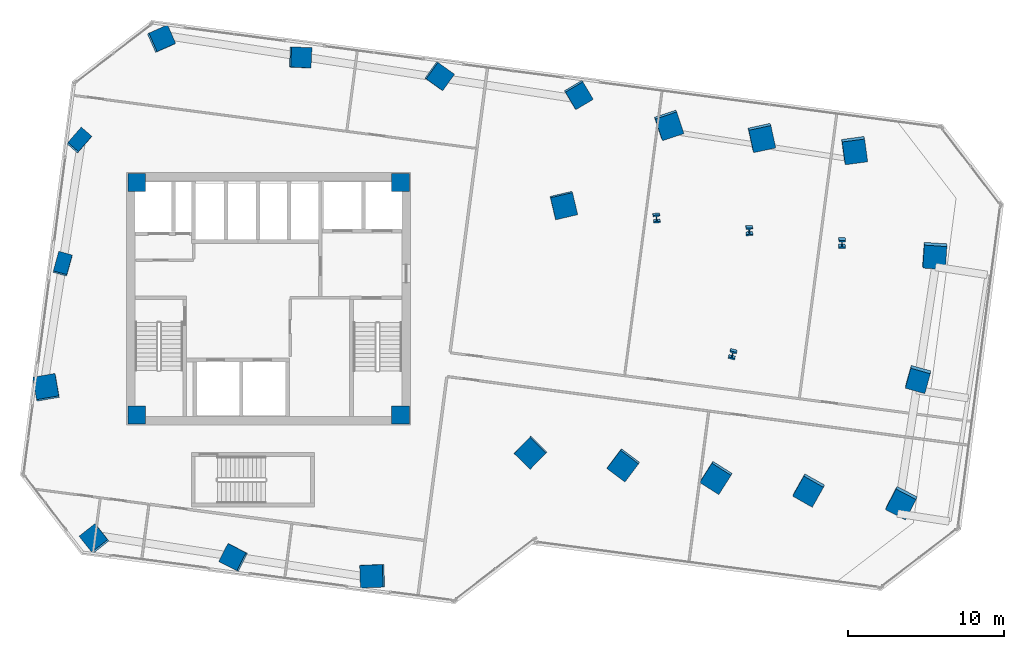
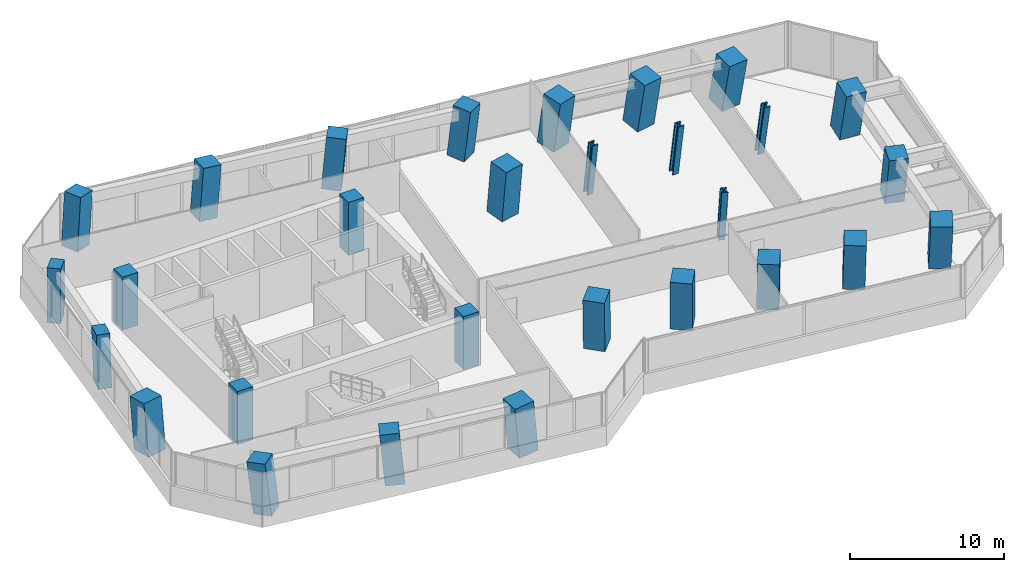
# One storey, part 1 of 24: 29 columns.
"""IFC4 building model written with IfcOpenShell, lengths in metres."""

from ifc_helpers import new_model, si_unit, direction, frame, origin, origin_2d, place, context, subcontext, project, spatial, rectangle, i_section, extrude, clip, halfspace, source, transform, mapped, material, material_profile, profile_set, type_object, element, save


model = new_model("IFC4")

# Units and contexts
model_context = context("Model", 3, precision=1e-05, world=origin(), true_north=direction((0.0, 1.0)))
body_context = subcontext(model_context, "Body", "Model", "MODEL_VIEW")
ifc_project = project(units=[si_unit("LENGTHUNIT", "METRE"), si_unit("AREAUNIT", "SQUARE_METRE"), si_unit("VOLUMEUNIT", "CUBIC_METRE"), si_unit("PLANEANGLEUNIT", "RADIAN"), si_unit("MASSUNIT", "GRAM", prefix="KILO")], contexts=[model_context])

# Site, building, storey
site_placement = place(None, origin())
site = spatial("IfcSite", under=ifc_project, at=site_placement, CompositionType="ELEMENT")
building_placement = place(site_placement, origin())
building = spatial("IfcBuilding", under=site, at=building_placement, Name="Torre Montelarca", CompositionType="ELEMENT")
storey_placement = place(building_placement, frame((0.0, 0.0, 66.39990234375)))
storey = spatial("IfcBuildingStorey", under=building, at=storey_placement, Name="L14", CompositionType="ELEMENT", Elevation=66.39990234375)

# Columns
ifc_material_1 = material(Name="Concrete C55/67", Category="concrete")
ifc_material_profile_1 = material_profile(ifc_material_1, rectangle(XDim=0.89990234375, YDim=1.300048828125, at=origin_2d()), Name="RC1300X900", Category="concrete")
ifc_profile_set_1 = profile_set([ifc_material_profile_1], Name="Concrete C55/67")
column_type_1 = type_object("IfcColumnType", Name="COL-PIL1300-EXT", PredefinedType="PILASTER", material=ifc_profile_set_1)
column_1_placement = place(storey_placement, frame((4.794189453125, 34.199462890625, 0.0), z_axis=(0.012333729289, 0.086278200191, 0.996194735628), x_axis=(0.963066116594, -0.269024609518, 0.011376051229)))
element("IfcColumn", 1, at=column_1_placement, inside=storey, type_object=column_type_1, Name="L14 Column 1W/E", PredefinedType="PILASTER", context=body_context, shape_type="Clipping", body=[
    clip(clip(extrude(rectangle(XDim=0.89990234375, YDim=1.300048828125, at=origin_2d()), origin(), (0.0, 0.0, 1.0), 4.21630859375), halfspace(frame((0.0, 0.0, 0.062255859375), z_axis=(0.0, 0.0, -1.0), x_axis=(1.0, 0.0, 0.0)), False)), halfspace(frame((0.0, 0.0, 4.154052734375), z_axis=(0.0, 0.0, 1.0), x_axis=(1.0, 0.0, 0.0)), False)),
])
column_2_placement = place(storey_placement, frame((5.83837890625, 42.130859375, 0.0), z_axis=(0.053226685756, 0.080418579566, 0.995339023642), x_axis=(0.755052231351, -0.655543804134, 0.012587644438)))
element("IfcColumn", 2, at=column_2_placement, inside=storey, type_object=column_type_1, Name="L14 Column 1W/F", PredefinedType="PILASTER", context=body_context, shape_type="Clipping", body=[
    clip(clip(extrude(rectangle(XDim=0.89990234375, YDim=1.300048828125, at=origin_2d()), origin(), (0.0, 0.0, 1.0), 4.219970703125), halfspace(frame((0.0, 0.0, 0.06884765625), z_axis=(0.0, 0.0, -1.0), x_axis=(1.0, 0.0, 0.0)), False)), halfspace(frame((0.0, 0.0, 4.151123046875), z_axis=(0.0, 0.0, 1.0), x_axis=(1.0, 0.0, 0.0)), False)),
])
ifc_material_2 = material(Name="Concrete C70/85", Category="concrete")
ifc_material_profile_2 = material_profile(ifc_material_2, rectangle(XDim=1.300048828125, YDim=1.300048828125, at=origin_2d()), Name="RC1300X1300", Category="concrete")
ifc_profile_set_2 = profile_set([ifc_material_profile_2], Name="Concrete C70/85")
column_type_2 = type_object("IfcColumnType", Name="COL-RC1300-EXT", PredefinedType="COLUMN", material=ifc_profile_set_2)
column_3_placement = place(storey_placement, frame((6.86181640625, 16.57861328125, 0.0), z_axis=(-0.078747233603, 0.076436236285, 0.993959946367), x_axis=(0.783634981143, 0.621056380729, 0.014324394768)))
element("IfcColumn", 3, at=column_3_placement, inside=storey, type_object=column_type_2, Name="L14 Column 2/CS", PredefinedType="COLUMN", context=body_context, shape_type="Clipping", body=[
    clip(clip(extrude(rectangle(XDim=1.300048828125, YDim=1.300048828125, at=origin_2d()), origin(), (0.0, 0.0, 1.0), 4.225830078125), halfspace(frame((0.0, 0.0, 0.081298828125), z_axis=(0.0, 0.0, -1.0), x_axis=(1.0, 0.0, 0.0)), False)), halfspace(frame((0.0, 0.0, 4.14453125), z_axis=(0.0, 0.0, 1.0), x_axis=(1.0, 0.0, 0.0)), False)),
])
column_4_placement = place(storey_placement, frame((11.08447265625, 48.652099609375, 0.0), z_axis=(0.086623318147, 0.052852945785, 0.994838161147), x_axis=(0.405546364063, -0.913978509128, 0.013245053707)))
element("IfcColumn", 4, at=column_4_placement, inside=storey, type_object=column_type_2, Name="L14 Column 2/GN", PredefinedType="COLUMN", context=body_context, shape_type="Clipping", body=[
    clip(clip(extrude(rectangle(XDim=1.300048828125, YDim=1.300048828125, at=origin_2d()), origin(), (0.0, 0.0, 1.0), 4.221923828125), halfspace(frame((0.0, 0.0, 0.0751953125), z_axis=(0.0, 0.0, -1.0), x_axis=(1.0, 0.0, 0.0)), False)), halfspace(frame((0.0, 0.0, 4.146728515625), z_axis=(0.0, 0.0, 1.0), x_axis=(1.0, 0.0, 0.0)), False)),
])
column_5_placement = place(storey_placement, frame((15.784912109375, 15.404052734375, 0.0), z_axis=(-0.085497665031, 0.030505937354, 0.995871245222), x_axis=(0.455606220414, 0.890102566246, 0.011848775584)))
element("IfcColumn", 5, at=column_5_placement, inside=storey, type_object=column_type_2, Name="L14 Column 3/CS", PredefinedType="COLUMN", context=body_context, shape_type="Clipping", body=[
    clip(clip(extrude(rectangle(XDim=1.300048828125, YDim=1.300048828125, at=origin_2d()), origin(), (0.0, 0.0, 1.0), 4.217529296875), halfspace(frame((0.0, 0.0, 0.067138671875), z_axis=(0.0, 0.0, -1.0), x_axis=(1.0, 0.0, 0.0)), False)), halfspace(frame((0.0, 0.0, 4.150390625), z_axis=(0.0, 0.0, 1.0), x_axis=(1.0, 0.0, 0.0)), False)),
])
column_6_placement = place(storey_placement, frame((20.00732421875, 47.477294921875, 0.0), z_axis=(0.080243045619, 0.006836591612, 0.996751882188), x_axis=(-0.04546783483, -0.998910495896, 0.01051176411)))
element("IfcColumn", 6, at=column_6_placement, inside=storey, type_object=column_type_2, Name="L14 Column 3/GN", PredefinedType="COLUMN", context=body_context, shape_type="Clipping", body=[
    clip(clip(extrude(rectangle(XDim=1.300048828125, YDim=1.300048828125, at=origin_2d()), origin(), (0.0, 0.0, 1.0), 4.2138671875), halfspace(frame((0.0, 0.0, 0.0595703125), z_axis=(0.0, 0.0, -1.0), x_axis=(1.0, 0.0, 0.0)), False)), halfspace(frame((0.0, 0.0, 4.154296875), z_axis=(0.0, 0.0, 1.0), x_axis=(1.0, 0.0, 0.0)), False)),
])
column_7_placement = place(storey_placement, frame((28.930419921875, 46.302490234375, 0.0), z_axis=(0.073620538621, -0.039272010374, 0.996512782404), x_axis=(-0.581397277632, -0.813546918552, 0.010891137473)))
element("IfcColumn", 7, at=column_7_placement, inside=storey, type_object=column_type_2, Name="L14 Column 4/GN", PredefinedType="COLUMN", context=body_context, shape_type="Clipping", body=[
    clip(clip(extrude(rectangle(XDim=1.300048828125, YDim=1.300048828125, at=origin_2d()), origin(), (0.0, 0.0, 1.0), 4.21484375), halfspace(frame((0.0, 0.0, 0.061767578125), z_axis=(0.0, 0.0, -1.0), x_axis=(1.0, 0.0, 0.0)), False)), halfspace(frame((0.0, 0.0, 4.153076171875), z_axis=(0.0, 0.0, 1.0), x_axis=(1.0, 0.0, 0.0)), False)),
])
column_8_placement = place(storey_placement, frame((37.853515625, 45.127685546875, 0.0), z_axis=(0.066856396357, -0.085174008842, 0.994120521106), x_axis=(-0.860003764034, -0.510091929367, 0.014133274303)))
element("IfcColumn", 8, at=column_8_placement, inside=storey, type_object=column_type_2, Name="L14 Column 5/GN", PredefinedType="COLUMN", context=body_context, shape_type="Clipping", body=[
    clip(clip(extrude(rectangle(XDim=1.300048828125, YDim=1.300048828125, at=origin_2d()), origin(), (0.0, 0.0, 1.0), 4.22509765625), halfspace(frame((0.0, 0.0, 0.080078125), z_axis=(0.0, 0.0, -1.0), x_axis=(1.0, 0.0, 0.0)), False)), halfspace(frame((0.0, 0.0, 4.14501953125), z_axis=(0.0, 0.0, 1.0), x_axis=(1.0, 0.0, 0.0)), False)),
])
column_9_placement = place(storey_placement, frame((59.670654296875, 26.974609375, 0.0), z_axis=(-0.027701062855, -0.194078434203, 0.980594825855), x_axis=(-0.963412268305, 0.266799553042, 0.025589055784)))
element("IfcColumn", 9, at=column_9_placement, inside=storey, type_object=column_type_2, Name="L14 Column 9/E", PredefinedType="COLUMN", context=body_context, shape_type="Clipping", body=[
    clip(clip(extrude(rectangle(XDim=1.300048828125, YDim=1.300048828125, at=origin_2d()), origin(), (0.0, 0.0, 1.0), 4.283203125), halfspace(frame((0.0, 0.0, 0.146484375), z_axis=(0.0, 0.0, -1.0), x_axis=(1.0, 0.0, 0.0)), False)), halfspace(frame((0.0, 0.0, 4.13671875), z_axis=(0.0, 0.0, 1.0), x_axis=(1.0, 0.0, 0.0)), False)),
])
ifc_material_profile_3 = material_profile(ifc_material_2, rectangle(XDim=1.449951171875, YDim=1.449951171875, at=origin_2d()), Name="RC1450X1450", Category="concrete")
ifc_profile_set_3 = profile_set([ifc_material_profile_3], Name="Concrete C70/85")
column_type_3 = type_object("IfcColumnType", Name="COL-RC1450", PredefinedType="COLUMN", material=ifc_profile_set_3)
column_10_placement = place(storey_placement, frame((34.831787109375, 22.17578125, 0.0), z_axis=(-0.051599647604, -0.068452057765, 0.996319121645), x_axis=(-0.713426528526, 0.70064070417, 0.011188925565)))
element("IfcColumn", 10, at=column_10_placement, inside=storey, type_object=column_type_3, Name="L14 Column 5/D", PredefinedType="COLUMN", context=body_context, shape_type="Clipping", body=[
    clip(clip(extrude(rectangle(XDim=1.449951171875, YDim=1.449951171875, at=origin_2d()), origin(), (0.0, 0.0, 1.0), 4.2158203125), halfspace(frame((0.0, 0.0, 0.07080078125), z_axis=(0.0, 0.0, -1.0), x_axis=(1.0, 0.0, 0.0)), False)), halfspace(frame((0.0, 0.0, 4.14501953125), z_axis=(0.0, 0.0, 1.0), x_axis=(1.0, 0.0, 0.0)), False)),
])
column_11_placement = place(storey_placement, frame((36.920166015625, 38.038818359375, 0.0), z_axis=(0.030346111021, -0.080092884622, 0.996325370237), x_axis=(-0.973205237042, -0.229666250615, 0.011179441968)))
element("IfcColumn", 11, at=column_11_placement, inside=storey, type_object=column_type_3, Name="L14 Column 5/F", PredefinedType="COLUMN", context=body_context, shape_type="Clipping", body=[
    clip(clip(extrude(rectangle(XDim=1.449951171875, YDim=1.449951171875, at=origin_2d()), origin(), (0.0, 0.0, 1.0), 4.215576171875), halfspace(frame((0.0, 0.0, 0.07080078125), z_axis=(0.0, 0.0, -1.0), x_axis=(1.0, 0.0, 0.0)), False)), halfspace(frame((0.0, 0.0, 4.144775390625), z_axis=(0.0, 0.0, 1.0), x_axis=(1.0, 0.0, 0.0)), False)),
])
column_12_placement = place(storey_placement, frame((40.780517578125, 21.392578125, 0.0), z_axis=(-0.055844325121, -0.098868132995, 0.993532336479), x_axis=(-0.799477522373, 0.600513133581, 0.014821188128)))
element("IfcColumn", 12, at=column_12_placement, inside=storey, type_object=column_type_3, Name="L14 Column 6/D", PredefinedType="COLUMN", context=body_context, shape_type="Clipping", body=[
    clip(clip(extrude(rectangle(XDim=1.449951171875, YDim=1.449951171875, at=origin_2d()), origin(), (0.0, 0.0, 1.0), 4.2275390625), halfspace(frame((0.0, 0.0, 0.09375), z_axis=(0.0, 0.0, -1.0), x_axis=(1.0, 0.0, 0.0)), False)), halfspace(frame((0.0, 0.0, 4.1337890625), z_axis=(0.0, 0.0, 1.0), x_axis=(1.0, 0.0, 0.0)), False)),
])
column_13_placement = place(storey_placement, frame((43.652099609375, 43.204345703125, 0.0), z_axis=(0.056438358162, -0.114721483905, 0.991793170403), x_axis=(-0.946763532441, -0.321496998719, 0.016688123158)))
element("IfcColumn", 13, at=column_13_placement, inside=storey, type_object=column_type_3, Name="L14 Column 6/G", PredefinedType="COLUMN", context=body_context, shape_type="Clipping", body=[
    clip(clip(extrude(rectangle(XDim=1.449951171875, YDim=1.449951171875, at=origin_2d()), origin(), (0.0, 0.0, 1.0), 4.23486328125), halfspace(frame((0.0, 0.0, 0.105712890625), z_axis=(0.0, 0.0, -1.0), x_axis=(1.0, 0.0, 0.0)), False)), halfspace(frame((0.0, 0.0, 4.129150390625), z_axis=(0.0, 0.0, 1.0), x_axis=(1.0, 0.0, 0.0)), False)),
])
column_14_placement = place(storey_placement, frame((46.72900390625, 20.609619140625, 0.0), z_axis=(-0.059950544993, -0.129106547951, 0.989816867623), x_axis=(-0.844815048038, 0.534735747326, 0.018579966109)))
element("IfcColumn", 14, at=column_14_placement, inside=storey, type_object=column_type_3, Name="L14 Column 7/D", PredefinedType="COLUMN", context=body_context, shape_type="Clipping", body=[
    clip(clip(extrude(rectangle(XDim=1.449951171875, YDim=1.449951171875, at=origin_2d()), origin(), (0.0, 0.0, 1.0), 4.243408203125), halfspace(frame((0.0, 0.0, 0.11767578125), z_axis=(0.0, 0.0, -1.0), x_axis=(1.0, 0.0, 0.0)), False)), halfspace(frame((0.0, 0.0, 4.125732421875), z_axis=(0.0, 0.0, 1.0), x_axis=(1.0, 0.0, 0.0)), False)),
])
column_15_placement = place(storey_placement, frame((49.6005859375, 42.42138671875, 0.0), z_axis=(0.051920569642, -0.14479176556, 0.988098982427), x_axis=(-0.976791061058, -0.213251304172, 0.020077457648)))
element("IfcColumn", 15, at=column_15_placement, inside=storey, type_object=column_type_3, Name="L14 Column 7/G", PredefinedType="COLUMN", context=body_context, shape_type="Clipping", body=[
    clip(clip(extrude(rectangle(XDim=1.449951171875, YDim=1.449951171875, at=origin_2d()), origin(), (0.0, 0.0, 1.0), 4.250732421875), halfspace(frame((0.0, 0.0, 0.12744140625), z_axis=(0.0, 0.0, -1.0), x_axis=(1.0, 0.0, 0.0)), False)), halfspace(frame((0.0, 0.0, 4.123291015625), z_axis=(0.0, 0.0, 1.0), x_axis=(1.0, 0.0, 0.0)), False)),
])
column_16_placement = place(storey_placement, frame((52.677734375, 19.826416015625, 0.0), z_axis=(-0.064024616391, -0.158858931905, 0.985223166724), x_axis=(-0.871499034688, 0.489887379184, 0.022355944494)))
element("IfcColumn", 16, at=column_16_placement, inside=storey, type_object=column_type_3, Name="L14 Column 8/D", PredefinedType="COLUMN", context=body_context, shape_type="Clipping", body=[
    clip(clip(extrude(rectangle(XDim=1.449951171875, YDim=1.449951171875, at=origin_2d()), origin(), (0.0, 0.0, 1.0), 4.26318359375), halfspace(frame((0.0, 0.0, 0.14208984375), z_axis=(0.0, 0.0, -1.0), x_axis=(1.0, 0.0, 0.0)), False)), halfspace(frame((0.0, 0.0, 4.12109375), z_axis=(0.0, 0.0, 1.0), x_axis=(1.0, 0.0, 0.0)), False)),
])
column_17_placement = place(storey_placement, frame((55.54931640625, 41.63818359375, 0.0), z_axis=(0.047335318552, -0.174477526836, 0.983522729909), x_axis=(-0.990469479879, -0.135695930822, 0.023597113954)))
element("IfcColumn", 17, at=column_17_placement, inside=storey, type_object=column_type_3, Name="L14 Column 8/G", PredefinedType="COLUMN", context=body_context, shape_type="Clipping", body=[
    clip(clip(extrude(rectangle(XDim=1.449951171875, YDim=1.449951171875, at=origin_2d()), origin(), (0.0, 0.0, 1.0), 4.2705078125), halfspace(frame((0.0, 0.0, 0.150146484375), z_axis=(0.0, 0.0, -1.0), x_axis=(1.0, 0.0, 0.0)), False)), halfspace(frame((0.0, 0.0, 4.120361328125), z_axis=(0.0, 0.0, 1.0), x_axis=(1.0, 0.0, 0.0)), False)),
])
ifc_material_profile_4 = material_profile(ifc_material_2, rectangle(XDim=1.449951171875, YDim=1.449951171875, at=origin_2d()), Name="RC1450X1450", Category="concrete")
ifc_profile_set_4 = profile_set([ifc_material_profile_4], Name="Concrete C70/85")
column_type_4 = type_object("IfcColumnType", Name="COL-RC1450-EXT", PredefinedType="COLUMN", material=ifc_profile_set_4)
column_18_placement = place(storey_placement, frame((24.7080078125, 14.229248046875, 0.0), z_axis=(-0.092074402211, -0.015567576489, 0.995630430943), x_axis=(-0.037146527416, 0.999235493433, 0.012188689992)))
element("IfcColumn", 18, at=column_18_placement, inside=storey, type_object=column_type_4, Name="L14 Perimeter Mega Column 4/CS", PredefinedType="COLUMN", context=body_context, shape_type="Clipping", body=[
    clip(clip(extrude(rectangle(XDim=1.449951171875, YDim=1.449951171875, at=origin_2d()), origin(), (0.0, 0.0, 1.0), 4.21875), halfspace(frame((0.0, 0.0, 0.0771484375), z_axis=(0.0, 0.0, -1.0), x_axis=(1.0, 0.0, 0.0)), False)), halfspace(frame((0.0, 0.0, 4.1416015625), z_axis=(0.0, 0.0, 1.0), x_axis=(1.0, 0.0, 0.0)), False)),
])
for number, where, z_axis, x_axis, name in (
    (19, (58.62646484375, 19.043212890625, 0.0), (-0.067998456906, -0.188220184318, 0.979770060817), (-0.889007107225, 0.457147697443, 0.026121753896), "L14 Perimeter Mega Column 9/D"),
    (20, (60.71484375, 34.90625, 0.0), (0.012585994778, -0.199724360578, 0.979771285825), (-0.997525135638, 0.06527862315, 0.026120971074), "L14 Perimeter Mega Column 9/F"),
):
    element("IfcColumn", number, at=place(storey_placement, frame(where, z_axis=z_axis, x_axis=x_axis)), inside=storey, type_object=column_type_4, Name=name, PredefinedType="COLUMN", context=body_context, shape_type="Clipping", body=[
        clip(clip(extrude(rectangle(XDim=1.449951171875, YDim=1.449951171875, at=origin_2d()), origin(), (0.0, 0.0, 1.0), 4.286865234375), halfspace(frame((0.0, 0.0, 0.1669921875), z_axis=(0.0, 0.0, -1.0), x_axis=(1.0, 0.0, 0.0)), False)), halfspace(frame((0.0, 0.0, 4.119873046875), z_axis=(0.0, 0.0, 1.0), x_axis=(1.0, 0.0, 0.0)), False)),
    ])
column_19_placement = place(storey_placement, frame((3.75, 26.267822265625, 0.0), z_axis=(-0.028638223739, 0.092105155944, 0.995337376164), x_axis=(0.985310209573, 0.1703093839, 0.01258986367)))
element("IfcColumn", 21, at=column_19_placement, inside=storey, type_object=column_type_4, Name="L14 Perimeter Mega Column 1W/D", PredefinedType="COLUMN", context=body_context, shape_type="Clipping", body=[
    clip(clip(extrude(rectangle(XDim=1.449951171875, YDim=1.449951171875, at=origin_2d()), origin(), (0.0, 0.0, 1.0), 4.219970703125), halfspace(frame((0.0, 0.0, 0.07958984375), z_axis=(0.0, 0.0, -1.0), x_axis=(1.0, 0.0, 0.0)), False)), halfspace(frame((0.0, 0.0, 4.140380859375), z_axis=(0.0, 0.0, 1.0), x_axis=(1.0, 0.0, 0.0)), False)),
])
ifc_material_3 = material(Name="Steel ASTM A992 Grade 50", Category="steel")
ifc_material_profile_5 = material_profile(ifc_material_3, i_section(OverallWidth=0.431884765625, OverallDepth=0.498046875, WebThickness=0.0556640625, FlangeThickness=0.0888671875, FilletRadius=0.014892578125, at=origin_2d()), Name="W360X744", Category="steel")
ifc_profile_set_5 = profile_set([ifc_material_profile_5], Name="Steel ASTM A992 Grade 50")
column_type_5 = type_object("IfcColumnType", Name="COL-W360X744", PredefinedType="COLUMN", material=ifc_profile_set_5)
column_20_placement = place(storey_placement, frame((42.868896484375, 37.255859375, 0.0), z_axis=(0.025929664115, -0.110590883697, 0.993527709207), x_axis=(-0.994870546195, -0.100063839854, 0.014826471862)))
element("IfcColumn", 22, at=column_20_placement, inside=storey, type_object=column_type_5, Name="L14 Column 6/F", PredefinedType="COLUMN", context=body_context, shape_type="Clipping", body=[
    clip(clip(extrude(i_section(OverallWidth=0.431884765625, OverallDepth=0.498046875, WebThickness=0.0556640625, FlangeThickness=0.0888671875, FilletRadius=0.014892578125, at=origin_2d()), origin(), (0.0, 0.0, 1.0), 4.2275390625), halfspace(frame((0.0, 0.0, 0.0322265625), z_axis=(0.0, 0.0, -1.0), x_axis=(1.0, 0.0, 0.0)), False)), halfspace(frame((0.0, 0.0, 4.1953125), z_axis=(0.0, 0.0, 1.0), x_axis=(1.0, 0.0, 0.0)), False)),
])
column_21_placement = place(storey_placement, frame((47.773193359375, 28.541015625, 0.0), z_axis=(-0.019232806956, -0.134975148219, 0.990662308004), x_axis=(-0.96328957621, 0.267874044528, 0.017795747612)))
element("IfcColumn", 23, at=column_21_placement, inside=storey, type_object=column_type_5, Name="L14 Column 7/E", PredefinedType="COLUMN", context=body_context, shape_type="Clipping", body=[
    clip(clip(extrude(i_section(OverallWidth=0.431884765625, OverallDepth=0.498046875, WebThickness=0.0556640625, FlangeThickness=0.0888671875, FilletRadius=0.014892578125, at=origin_2d()), origin(), (0.0, 0.0, 1.0), 4.23974609375), halfspace(frame((0.0, 0.0, 0.03857421875), z_axis=(0.0, 0.0, -1.0), x_axis=(1.0, 0.0, 0.0)), False)), halfspace(frame((0.0, 0.0, 4.201171875), z_axis=(0.0, 0.0, 1.0), x_axis=(1.0, 0.0, 0.0)), False)),
])
column_22_placement = place(storey_placement, frame((48.8173828125, 36.47265625, 0.0), z_axis=(0.021517704856, -0.140728091119, 0.989814423388), x_axis=(-0.999582161556, -0.022140567342, 0.018582184417)))
element("IfcColumn", 24, at=column_22_placement, inside=storey, type_object=column_type_5, Name="L14 Column 7/F", PredefinedType="COLUMN", context=body_context, shape_type="Clipping", body=[
    clip(clip(extrude(i_section(OverallWidth=0.431884765625, OverallDepth=0.498046875, WebThickness=0.0556640625, FlangeThickness=0.0888671875, FilletRadius=0.014892578125, at=origin_2d()), origin(), (0.0, 0.0, 1.0), 4.243408203125), halfspace(frame((0.0, 0.0, 0.040283203125), z_axis=(0.0, 0.0, -1.0), x_axis=(1.0, 0.0, 0.0)), False)), halfspace(frame((0.0, 0.0, 4.203125), z_axis=(0.0, 0.0, 1.0), x_axis=(1.0, 0.0, 0.0)), False)),
])
column_23_placement = place(storey_placement, frame((54.76611328125, 35.689453125, 0.0), z_axis=(0.017008334322, -0.170426945934, 0.985223514063), x_axis=(-0.999314565848, 0.029506302541, 0.022355683703)))
element("IfcColumn", 25, at=column_23_placement, inside=storey, type_object=column_type_5, Name="L14 Column 8/F", PredefinedType="COLUMN", context=body_context, shape_type="Clipping", body=[
    clip(clip(extrude(i_section(OverallWidth=0.431884765625, OverallDepth=0.498046875, WebThickness=0.0556640625, FlangeThickness=0.0888671875, FilletRadius=0.014892578125, at=origin_2d()), origin(), (0.0, 0.0, 1.0), 4.26318359375), halfspace(frame((0.0, 0.0, 0.048583984375), z_axis=(0.0, 0.0, -1.0), x_axis=(1.0, 0.0, 0.0)), False)), halfspace(frame((0.0, 0.0, 4.214599609375), z_axis=(0.0, 0.0, 1.0), x_axis=(1.0, 0.0, 0.0)), False)),
])
ifc_material_profile_6 = material_profile(ifc_material_1, rectangle(XDim=1.14990234375, YDim=1.14990234375, at=origin_2d()), Name="RC1150X1150", Category="concrete")
ifc_profile_set_6 = profile_set([ifc_material_profile_6], Name="Concrete C55/67")
column_type_6 = type_object("IfcColumnType", Name="COL-RC1150", PredefinedType="COLUMN", material=ifc_profile_set_6)
shared_shape = source(origin(), body_context, "Body", "SweptSolid", [
    extrude(rectangle(XDim=1.14990234375, YDim=1.14990234375, at=origin_2d()), origin(), (0.0, 0.0, 1.0), 4.19873046875),
])
for number, where, z_axis, x_axis, name in (
    (26, (9.550048828125, 24.550048828125, 0.000732421875), (0.0, 0.0, 1.0), (1.0, 0.0, 0.0), "L14 Plumb Core Corner Column 2D"),
    (27, (26.449951171875, 24.550048828125, 0.000732421875), (0.0, 0.0, 1.0), (1.0, 0.0, 0.0), "L14 Plumb Core Corner Column 4D"),
    (28, (9.550048828125, 39.449951171875, 0.000732421875), (0.0, 0.0, 1.0), (1.0, 0.0, 0.0), "L14 Plumb Core Corner Column 2F"),
    (29, (26.449951171875, 39.449951171875, 0.000732421875), (0.0, 0.0, 1.0), (1.0, 0.0, 0.0), "L14 Plumb Core Corner Column 4F"),
):
    element("IfcColumn", number, at=place(storey_placement, frame(where, z_axis=z_axis, x_axis=x_axis)), inside=storey, type_object=column_type_6, Name=name, PredefinedType="COLUMN", context=body_context, shape_type="MappedRepresentation", body=[
        mapped(shared_shape, transform((0.0, 0.0, 0.0), scale=1.0)),
    ])

save(model, "model.ifc")
